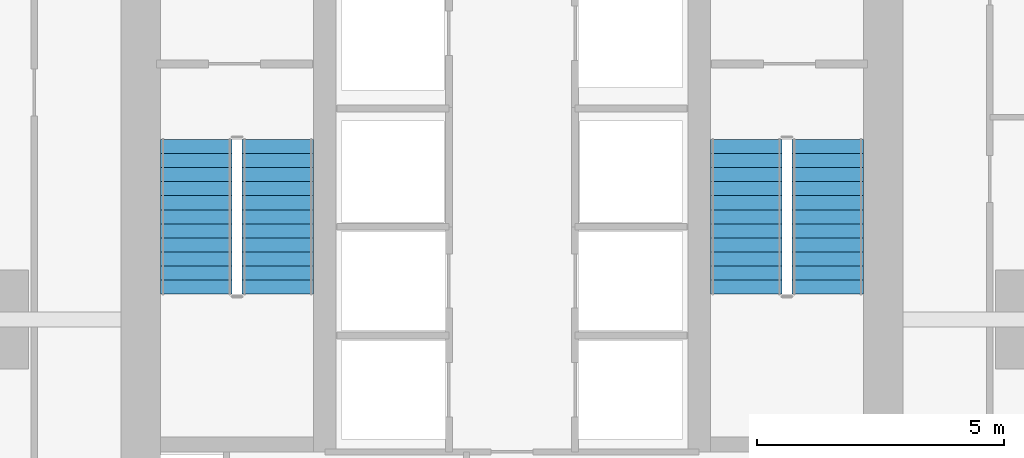
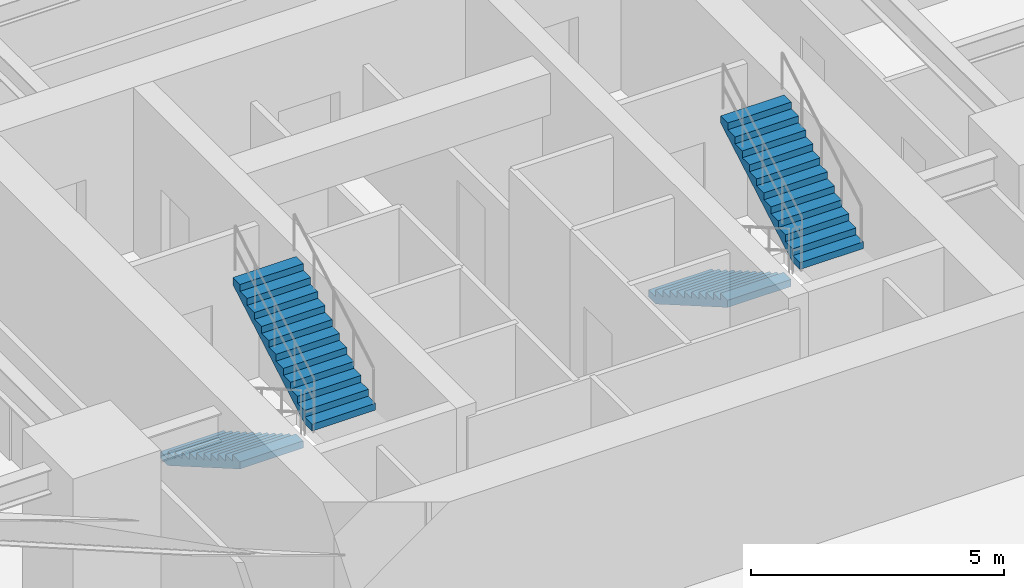
# One storey, part 24 of 26: 4 stair flights, 2 elements without a shape of their own.
"""IFC4 building model written with IfcOpenShell, lengths in metres."""

from ifc_helpers import new_model, si_unit, direction, frame, origin, place, context, subcontext, project, spatial, polyline, outline, extrude, material, type_object, element, aggregate, save


model = new_model("IFC4")

# Units and contexts
model_context = context("Model", 3, precision=1e-05, world=origin(), true_north=direction((0.0, 1.0)))
body_context = subcontext(model_context, "Body", "Model", "MODEL_VIEW")
ifc_project = project(units=[si_unit("LENGTHUNIT", "METRE"), si_unit("AREAUNIT", "SQUARE_METRE"), si_unit("VOLUMEUNIT", "CUBIC_METRE"), si_unit("PLANEANGLEUNIT", "RADIAN"), si_unit("MASSUNIT", "GRAM", prefix="KILO")], contexts=[model_context])

# Site, building, storey
site_placement = place(None, origin())
site = spatial("IfcSite", under=ifc_project, at=site_placement, CompositionType="ELEMENT")
building_placement = place(site_placement, origin())
building = spatial("IfcBuilding", under=site, at=building_placement, Name="Krantzveldt Concourse Tower", CompositionType="ELEMENT")
storey_placement = place(building_placement, frame((0.0, 0.0, 129.550048828125)))
storey = spatial("IfcBuildingStorey", under=building, at=storey_placement, Name="L31", CompositionType="ELEMENT", Elevation=129.550048828125)

# Stair, stair flights
ifc_material = material(Name="Precast concrete C40/50", Category="concrete")
stair_type = type_object("IfcStairType", Name="STR-CORE-DOGLEG", PredefinedType="HALF_TURN_STAIR", material=ifc_material)
stair_1_placement = place(storey_placement, origin())
stair_1 = element("IfcStair", 1, at=stair_1_placement, inside=storey, type_object=stair_type, Name="L31 Protected Escape Stair ST-1", PredefinedType="HALF_TURN_STAIR")
stair_flight_type = type_object("IfcStairFlightType", Name="STF-CORE-1450", PredefinedType="STRAIGHT", material=ifc_material)
stair_flight_1_placement = place(storey_placement, frame((29.60498046875, 19.550048828125, 0.0), z_axis=(0.0, 0.0, 1.0), x_axis=(0.0, -1.0, 0.0)))
stair_flight_1 = element("IfcStairFlight", 2, at=stair_flight_1_placement, type_object=stair_flight_type, Name="ST-1 flight 1", NumberOfRisers=12, NumberOfTreads=11, PredefinedType="STRAIGHT", RiserHeight=0.164583333, TreadLength=0.285, context=body_context, shape_type="SweptSolid", body=[
    extrude(outline(polyline([(0.0, 0.0), (0.0, 0.16455078125), (0.284912109375, 0.16455078125), (0.284912109375, 0.3291015625), (0.570068359375, 0.3291015625), (0.570068359375, 0.49365234375), (0.85498046875, 0.49365234375), (0.85498046875, 0.658447265625), (1.139892578125, 0.658447265625), (1.139892578125, 0.822998046875), (1.425048828125, 0.822998046875), (1.425048828125, 0.987548828125), (1.7099609375, 0.987548828125), (1.7099609375, 1.152099609375), (1.9951171875, 1.152099609375), (1.9951171875, 1.316650390625), (2.280029296875, 1.316650390625), (2.280029296875, 1.481201171875), (2.56494140625, 1.481201171875), (2.56494140625, 1.645751953125), (2.85009765625, 1.645751953125), (2.85009765625, 1.810302734375), (3.135009765625, 1.810302734375), (3.135009765625, 1.97509765625), (3.135009765625, 1.63720703125), (0.2998046875, 0.0), (0.0, 0.0)])), frame((0.0, 0.72509765625, 0.0), z_axis=(0.0, -1.0, 0.0), x_axis=(1.0, 0.0, 0.0)), (0.0, 0.0, 1.0), 1.449951171875),
])
stair_flight_2_placement = place(storey_placement, frame((31.2548828125, 16.4150390625, 1.974853515625), z_axis=(0.0, 0.0, 1.0), x_axis=(0.0, 1.0, 0.0)))
stair_flight_2 = element("IfcStairFlight", 3, at=stair_flight_2_placement, type_object=stair_flight_type, Name="ST-1 flight 2", NumberOfRisers=12, NumberOfTreads=11, PredefinedType="STRAIGHT", RiserHeight=0.164583333, TreadLength=0.285, context=body_context, shape_type="SweptSolid", body=[
    extrude(outline(polyline([(0.0, 0.0), (0.0, 0.16455078125), (0.284912109375, 0.16455078125), (0.284912109375, 0.3291015625), (0.570068359375, 0.3291015625), (0.570068359375, 0.49365234375), (0.85498046875, 0.49365234375), (0.85498046875, 0.658447265625), (1.139892578125, 0.658447265625), (1.139892578125, 0.822998046875), (1.425048828125, 0.822998046875), (1.425048828125, 0.987548828125), (1.7099609375, 0.987548828125), (1.7099609375, 1.152099609375), (1.9951171875, 1.152099609375), (1.9951171875, 1.316650390625), (2.280029296875, 1.316650390625), (2.280029296875, 1.481201171875), (2.56494140625, 1.481201171875), (2.56494140625, 1.645751953125), (2.85009765625, 1.645751953125), (2.85009765625, 1.810302734375), (3.135009765625, 1.810302734375), (3.135009765625, 1.97509765625), (3.135009765625, 1.63720703125), (0.2998046875, 0.0), (0.0, 0.0)])), frame((0.0, 0.72509765625, 0.0), z_axis=(0.0, -1.0, 0.0), x_axis=(1.0, 0.0, 0.0)), (0.0, 0.0, 1.0), 1.449951171875),
])
aggregate(stair_1, [stair_flight_1, stair_flight_2])

stair_2_placement = place(storey_placement, origin())
stair_2 = element("IfcStair", 4, at=stair_2_placement, inside=storey, type_object=stair_type, Name="L31 Protected Escape Stair ST-2", PredefinedType="HALF_TURN_STAIR")
stair_flight_3_placement = place(storey_placement, frame((40.7451171875, 19.550048828125, 0.0), z_axis=(0.0, 0.0, 1.0), x_axis=(0.0, -1.0, 0.0)))
stair_flight_3 = element("IfcStairFlight", 5, at=stair_flight_3_placement, type_object=stair_flight_type, Name="ST-2 flight 1", NumberOfRisers=12, NumberOfTreads=11, PredefinedType="STRAIGHT", RiserHeight=0.164583333, TreadLength=0.285, context=body_context, shape_type="SweptSolid", body=[
    extrude(outline(polyline([(0.0, 0.0), (0.0, 0.16455078125), (0.284912109375, 0.16455078125), (0.284912109375, 0.3291015625), (0.570068359375, 0.3291015625), (0.570068359375, 0.49365234375), (0.85498046875, 0.49365234375), (0.85498046875, 0.658447265625), (1.139892578125, 0.658447265625), (1.139892578125, 0.822998046875), (1.425048828125, 0.822998046875), (1.425048828125, 0.987548828125), (1.7099609375, 0.987548828125), (1.7099609375, 1.152099609375), (1.9951171875, 1.152099609375), (1.9951171875, 1.316650390625), (2.280029296875, 1.316650390625), (2.280029296875, 1.481201171875), (2.56494140625, 1.481201171875), (2.56494140625, 1.645751953125), (2.85009765625, 1.645751953125), (2.85009765625, 1.810302734375), (3.135009765625, 1.810302734375), (3.135009765625, 1.97509765625), (3.135009765625, 1.63720703125), (0.2998046875, 0.0), (0.0, 0.0)])), frame((0.0, 0.72509765625, 0.0), z_axis=(0.0, -1.0, 0.0), x_axis=(1.0, 0.0, 0.0)), (0.0, 0.0, 1.0), 1.449951171875),
])
stair_flight_4_placement = place(storey_placement, frame((42.39501953125, 16.4150390625, 1.974853515625), z_axis=(0.0, 0.0, 1.0), x_axis=(0.0, 1.0, 0.0)))
stair_flight_4 = element("IfcStairFlight", 6, at=stair_flight_4_placement, type_object=stair_flight_type, Name="ST-2 flight 2", NumberOfRisers=12, NumberOfTreads=11, PredefinedType="STRAIGHT", RiserHeight=0.164583333, TreadLength=0.285, context=body_context, shape_type="SweptSolid", body=[
    extrude(outline(polyline([(0.0, 0.0), (0.0, 0.16455078125), (0.284912109375, 0.16455078125), (0.284912109375, 0.3291015625), (0.570068359375, 0.3291015625), (0.570068359375, 0.49365234375), (0.85498046875, 0.49365234375), (0.85498046875, 0.658447265625), (1.139892578125, 0.658447265625), (1.139892578125, 0.822998046875), (1.425048828125, 0.822998046875), (1.425048828125, 0.987548828125), (1.7099609375, 0.987548828125), (1.7099609375, 1.152099609375), (1.9951171875, 1.152099609375), (1.9951171875, 1.316650390625), (2.280029296875, 1.316650390625), (2.280029296875, 1.481201171875), (2.56494140625, 1.481201171875), (2.56494140625, 1.645751953125), (2.85009765625, 1.645751953125), (2.85009765625, 1.810302734375), (3.135009765625, 1.810302734375), (3.135009765625, 1.97509765625), (3.135009765625, 1.63720703125), (0.2998046875, 0.0), (0.0, 0.0)])), frame((0.0, 0.72509765625, 0.0), z_axis=(0.0, -1.0, 0.0), x_axis=(1.0, 0.0, 0.0)), (0.0, 0.0, 1.0), 1.449951171875),
])
aggregate(stair_2, [stair_flight_3, stair_flight_4])

save(model, "model.ifc")
